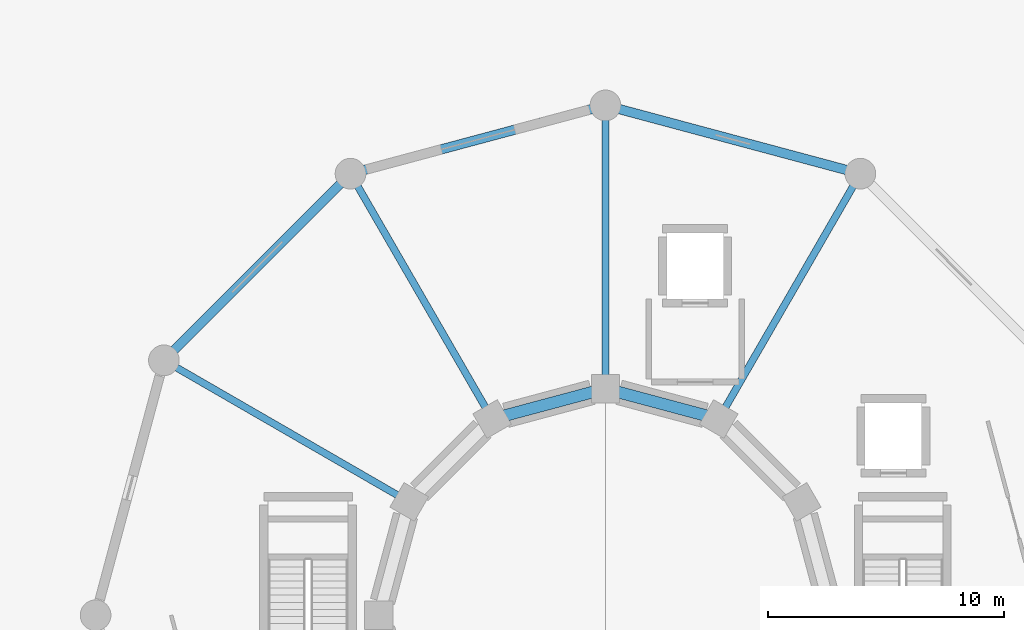
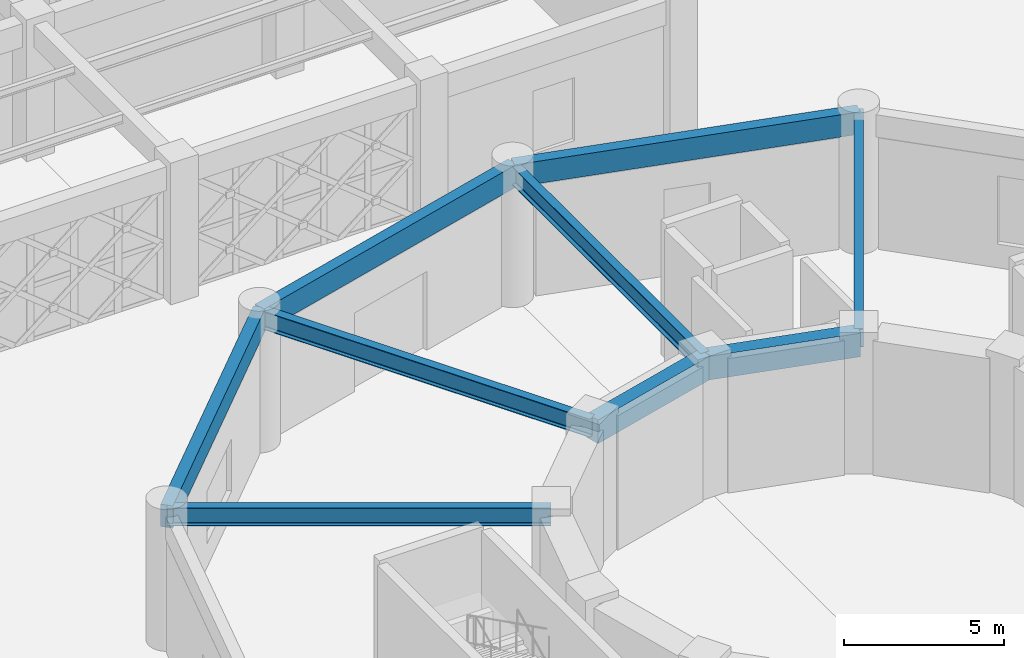
# One storey, part 53 of 140: 9 beams.
"""IFC4 building model written with IfcOpenShell, lengths in metres."""

import ifcopenshell
import ifcopenshell.guid

model = None  # the IFC model being written
_history = None  # IfcOwnerHistory: only IFC2X3 demands one
_inside = {}  # id of a spatial element -> (the spatial element, [elements in it])
_under = {}  # id of a project, library or spatial element -> (it, [spatial elements below it])
_declared = {}  # id of a project -> (the project, [libraries it declares])
_typed = {}  # id of a type object -> (the type object, [elements of that type])
_made_of = {}  # id of a material, layer set ... -> (it, [elements and type objects made of it])


def new_model(schema):
    """Start an empty IFC model of exactly this schema.

    Asked for "IFC4X3", IfcOpenShell would pick the latest addendum, in which some entities
    have other attributes; the version numbers below select the first issue.
    IFC2X3 requires an IfcOwnerHistory on every rooted entity: one is made here for all.
    """
    global model, _history
    if schema == "IFC4X3":
        model = ifcopenshell.file(schema_version=(4, 3, 0, 0))
    else:
        model = ifcopenshell.file(schema=schema)
    _inside.clear()
    _under.clear()
    _declared.clear()
    _typed.clear()
    _made_of.clear()
    _history = None
    if model.schema == "IFC2X3":
        org = make("IfcOrganization", Name="unknown")
        user = make(
            "IfcPersonAndOrganization",
            ThePerson=make("IfcPerson", FamilyName="unknown"),
            TheOrganization=org,
        )
        app = make(
            "IfcApplication",
            ApplicationDeveloper=org,
            Version="unknown",
            ApplicationFullName="unknown",
            ApplicationIdentifier="unknown",
        )
        _history = make(
            "IfcOwnerHistory",
            OwningUser=user,
            OwningApplication=app,
            ChangeAction="ADDED",
            CreationDate=0,
        )
    return model


def make(cls, **values):
    """One entity of the class cls with the attributes given. An attribute that is None is left unset."""
    return model.create_entity(
        cls, **{name: value for name, value in values.items() if value is not None}
    )


def rooted(cls, **values):
    """An entity with a GlobalId (a new one), such as an element, a storey or a relation."""
    return make(cls, GlobalId=ifcopenshell.guid.new(), OwnerHistory=_history, **values)


def si_unit(unit_type, name, prefix=None):
    """IfcSIUnit, for example si_unit("LENGTHUNIT", "METRE", prefix="MILLI")."""
    return make("IfcSIUnit", UnitType=unit_type, Prefix=prefix, Name=name)


def assignment(units):
    """IfcUnitAssignment: the units of a project."""
    return None if units is None else make("IfcUnitAssignment", Units=units)


def point(xyz):
    """IfcCartesianPoint."""
    return None if xyz is None else make("IfcCartesianPoint", Coordinates=xyz)


def direction(xyz):
    """IfcDirection."""
    return None if xyz is None else make("IfcDirection", DirectionRatios=xyz)


def frame(location, z_axis=None, x_axis=None):
    """IfcAxis2Placement3D, a coordinate frame: its origin and axes. An axis left out is left unset."""
    return make(
        "IfcAxis2Placement3D",
        Location=point(location),
        Axis=direction(z_axis),
        RefDirection=direction(x_axis),
    )


def frame_2d(location, x_axis=None):
    """IfcAxis2Placement2D, a coordinate frame in the plane: its origin and x axis."""
    return make(
        "IfcAxis2Placement2D", Location=point(location), RefDirection=direction(x_axis)
    )


def origin():
    """The frame at (0, 0, 0) with its axes left unset."""
    return frame((0.0, 0.0, 0.0))


def origin_2d():
    """The frame at (0, 0) in the plane with its x axis left unset."""
    return frame_2d((0.0, 0.0))


def place(relative_to, where):
    """IfcLocalPlacement: puts the frame where relative to a parent placement (None: the world)."""
    return make(
        "IfcLocalPlacement", PlacementRelTo=relative_to, RelativePlacement=where
    )


def context(
    kind, dimensions, precision=None, world=None, true_north=None, identifier=None
):
    """IfcGeometricRepresentationContext, for example the 3D "Model" context."""
    return make(
        "IfcGeometricRepresentationContext",
        ContextIdentifier=identifier,
        ContextType=kind,
        CoordinateSpaceDimension=dimensions,
        Precision=precision,
        WorldCoordinateSystem=world,
        TrueNorth=true_north,
    )


def subcontext(parent, identifier, kind, view, scale=None):
    """IfcGeometricRepresentationSubContext, for example "Body" below "Model"."""
    return make(
        "IfcGeometricRepresentationSubContext",
        ContextIdentifier=identifier,
        ContextType=kind,
        ParentContext=parent,
        TargetScale=scale,
        TargetView=view,
    )


def project(units=None, contexts=None):
    """IfcProject with its units and contexts."""
    return rooted(
        "IfcProject",
        Name="project",
        RepresentationContexts=contexts,
        UnitsInContext=assignment(units),
    )


def spatial(cls, under=None, at=None, **own):
    """A site, building, storey or space (cls), placed at a placement, below another one or the project."""
    s = rooted(cls, ObjectPlacement=at, **own)
    if under is not None:
        _under.setdefault(under.id(), (under, []))[1].append(s)
    return s


def profile(cls, at=None, kind="AREA", **sizes):
    """A parametric profile (cls). Its sizes go by their IFC names, for example OverallWidth=200.0."""
    return make(cls, ProfileType=kind, Position=at, **sizes)


def rectangle(**sizes):
    """IfcRectangleProfileDef."""
    return profile("IfcRectangleProfileDef", **sizes)


def i_section(**sizes):
    """IfcIShapeProfileDef."""
    return profile("IfcIShapeProfileDef", **sizes)


def extrude(swept, where, along, depth):
    """IfcExtrudedAreaSolid: the profile swept, set in the frame where, extruded along a direction by depth."""
    return make(
        "IfcExtrudedAreaSolid",
        SweptArea=swept,
        Position=where,
        ExtrudedDirection=direction(along),
        Depth=depth,
    )


def shape(context_of_items, identifier, shape_type, items):
    """IfcShapeRepresentation: the items that make up one representation, for example the "Body"."""
    return make(
        "IfcShapeRepresentation",
        ContextOfItems=context_of_items,
        RepresentationIdentifier=identifier,
        RepresentationType=shape_type,
        Items=items,
    )


def material(Name=None, Category=None):
    """IfcMaterial."""
    return make("IfcMaterial", Name=Name, Category=Category)


def material_profile(
    of_material, cross_section, Name=None, Category=None, Priority=None
):
    """IfcMaterialProfile: a cross section and its material."""
    return make(
        "IfcMaterialProfile",
        Name=Name,
        Material=of_material,
        Profile=cross_section,
        Priority=Priority,
        Category=Category,
    )


def profile_set(profiles, Name=None, composite=None):
    """IfcMaterialProfileSet."""
    return make(
        "IfcMaterialProfileSet",
        Name=Name,
        MaterialProfiles=profiles,
        CompositeProfile=composite,
    )


def made_of(thing, what):
    """Note that an element or type object is made of a material, layer set ...; save() writes the relation."""
    if what is not None:
        _made_of.setdefault(what.id(), (what, []))[1].append(thing)
    return thing


def type_object(cls, material=None, **own):
    """A type object (cls), such as IfcWallType, which elements share."""
    return made_of(rooted(cls, **own), material)


def element(
    cls,
    number,
    at=None,
    inside=None,
    cuts=None,
    type_object=None,
    material=None,
    context=None,
    identifier="Body",
    shape_type=None,
    held_by="IfcProductDefinitionShape",
    body=None,
    shapes=None,
    **own,
):
    """One element of the class cls, such as IfcWall. Its Tag is "e" and its number.

    at: its placement. inside: the storey or other place that contains it. cuts: it is an
    opening in that element (IfcRelVoidsElement). A single representation is given by context,
    identifier, shape_type and body (its items); several are given by shapes. held_by: the class
    of the entity that holds the representations. save() writes the other relations.
    """
    e = rooted(cls, Tag="e%d" % number, ObjectPlacement=at, **own)
    if body is not None:
        shapes = [shape(context, identifier, shape_type, body)]
    if shapes is not None:
        e.Representation = make(held_by, Representations=shapes)
    if inside is not None:
        _inside.setdefault(inside.id(), (inside, []))[1].append(e)
    if cuts is not None:
        rooted(
            "IfcRelVoidsElement", RelatingBuildingElement=cuts, RelatedOpeningElement=e
        )
    if type_object is not None:
        _typed.setdefault(type_object.id(), (type_object, []))[1].append(e)
    return made_of(e, material)


def aggregate(whole, parts):
    """IfcRelAggregates: a whole, such as a stair, and the parts it consists of."""
    return rooted("IfcRelAggregates", RelatingObject=whole, RelatedObjects=parts)


def save(model, path):
    """Write the relations noted so far, then the file.

    IfcRelAggregates (storeys below a building ...), IfcRelContainedInSpatialStructure (elements
    in a storey), IfcRelDefinesByType, IfcRelAssociatesMaterial and IfcRelDeclares: one each for
    every whole, place, type object, material and project.
    """
    for whole, parts in _under.values():
        aggregate(whole, parts)
    for where, things in _inside.values():
        rooted(
            "IfcRelContainedInSpatialStructure",
            RelatedElements=things,
            RelatingStructure=where,
        )
    for kind, things in _typed.values():
        rooted("IfcRelDefinesByType", RelatedObjects=things, RelatingType=kind)
    for what, things in _made_of.values():
        rooted("IfcRelAssociatesMaterial", RelatedObjects=things, RelatingMaterial=what)
    for by, libraries in _declared.values():
        rooted("IfcRelDeclares", RelatingContext=by, RelatedDefinitions=libraries)
    model.write(path)


model = new_model("IFC4")

# Units and contexts
model_context = context("Model", 3, precision=1e-05, world=origin(), true_north=direction((0.0, 1.0)))
body_context = subcontext(model_context, "Body", "Model", "MODEL_VIEW")
ifc_project = project(units=[si_unit("LENGTHUNIT", "METRE"), si_unit("AREAUNIT", "SQUARE_METRE"), si_unit("VOLUMEUNIT", "CUBIC_METRE"), si_unit("PLANEANGLEUNIT", "RADIAN"), si_unit("MASSUNIT", "GRAM", prefix="KILO")], contexts=[model_context])

# Site, building, storey
site_placement = place(None, origin())
site = spatial("IfcSite", under=ifc_project, at=site_placement, CompositionType="ELEMENT")
building_placement = place(site_placement, origin())
building = spatial("IfcBuilding", under=site, at=building_placement, Name="Haizhuo Lancet Aquarium", CompositionType="ELEMENT")
storey_placement = place(building_placement, origin())
storey = spatial("IfcBuildingStorey", under=building, at=storey_placement, Name="L00", CompositionType="ELEMENT", Elevation=0.0)

# Beams
ifc_material_1 = material(Name="Concrete C40/50", Category="concrete")
ifc_material_profile_1 = material_profile(ifc_material_1, rectangle(XDim=0.5, YDim=0.89990234375, at=origin_2d()), Name="RC-BM 500x900")
ifc_profile_set_1 = profile_set([ifc_material_profile_1], Name="Concrete C40/50")
beam_type_1 = type_object("IfcBeamType", Name="BM-RC-500x900", PredefinedType="BEAM", material=ifc_profile_set_1)
for number, where, z_axis, x_axis, name in (
    (1, (4.800048828125, 8.31396484375, 4.669921875), (-0.965927657214, 0.258812211902, 0.0), (-0.258812211902, -0.965927657214, 0.0), "L00 tank ring beam 3"),
    (2, (0.0, 9.60009765625, 4.669921875), (-0.965927657214, -0.258812211902, 0.0), (0.258812211902, -0.965927657214, 0.0), "L00 tank ring beam 4"),
):
    element("IfcBeam", number, at=place(storey_placement, frame(where, z_axis=z_axis, x_axis=x_axis)), inside=storey, type_object=beam_type_1, Name=name, PredefinedType="BEAM", context=body_context, shape_type="SweptSolid", body=[
        extrude(rectangle(XDim=0.5, YDim=0.89990234375, at=origin_2d()), origin(), (0.0, 0.0, 1.0), 4.969482421875),
    ])
ifc_material_2 = material(Name="Steel S355", Category="steel")
ifc_material_profile_2 = material_profile(ifc_material_2, i_section(OverallWidth=0.300048828125, OverallDepth=0.699951171875, WebThickness=0.012939453125, FlangeThickness=0.02392578125, FilletRadius=0.02587890625, at=origin_2d()), Name="HN 700x300x13x24")
ifc_profile_set_2 = profile_set([ifc_material_profile_2], Name="Steel S355")
beam_type_2 = type_object("IfcBeamType", Name="BM-ST-HN700", PredefinedType="BEAM", material=ifc_profile_set_2)
beam_1_placement = place(storey_placement, frame((4.800048828125, 8.31396484375, 4.77001953125), z_axis=(0.500007758305, 0.866020924479, 0.0), x_axis=(-0.866020924479, 0.500007758305, 0.0)))
element("IfcBeam", 3, at=beam_1_placement, inside=storey, type_object=beam_type_2, Name="L00 radial gallery girder 3", PredefinedType="BEAM", context=body_context, shape_type="SweptSolid", body=[
    extrude(i_section(OverallWidth=0.300048828125, OverallDepth=0.699951171875, WebThickness=0.012939453125, FlangeThickness=0.02392578125, FilletRadius=0.02587890625, at=origin_2d()), origin(), (0.0, 0.0, 1.0), 11.999755859375),
])
beam_2_placement = place(storey_placement, frame((0.0, 9.60009765625, 4.77001953125), z_axis=(0.0, 1.0, 0.0), x_axis=(-1.0, 0.0, 0.0)))
element("IfcBeam", 4, at=beam_2_placement, inside=storey, type_object=beam_type_2, Name="L00 radial gallery girder 4", PredefinedType="BEAM", context=body_context, shape_type="SweptSolid", body=[
    extrude(i_section(OverallWidth=0.300048828125, OverallDepth=0.699951171875, WebThickness=0.012939453125, FlangeThickness=0.02392578125, FilletRadius=0.02587890625, at=origin_2d()), origin(), (0.0, 0.0, 1.0), 12.0),
])
for number, where, z_axis, x_axis, name in (
    (5, (-4.800048828125, 8.31396484375, 4.77001953125), (-0.500007758305, 0.866020924479, 0.0), (-0.866020924479, -0.500007758305, 0.0), "L00 radial gallery girder 5"),
    (6, (-8.31396484375, 4.800048828125, 4.77001953125), (-0.866020924479, 0.500007758305, 0.0), (-0.500007758305, -0.866020924479, 0.0), "L00 radial gallery girder 6"),
):
    element("IfcBeam", number, at=place(storey_placement, frame(where, z_axis=z_axis, x_axis=x_axis)), inside=storey, type_object=beam_type_2, Name=name, PredefinedType="BEAM", context=body_context, shape_type="SweptSolid", body=[
        extrude(i_section(OverallWidth=0.300048828125, OverallDepth=0.699951171875, WebThickness=0.012939453125, FlangeThickness=0.02392578125, FilletRadius=0.02587890625, at=origin_2d()), origin(), (0.0, 0.0, 1.0), 11.999755859375),
    ])
ifc_material_profile_3 = material_profile(ifc_material_1, rectangle(XDim=0.39990234375, YDim=0.85009765625, at=origin_2d()), Name="RC-SP 400x850")
ifc_profile_set_3 = profile_set([ifc_material_profile_3], Name="Concrete C40/50")
beam_type_3 = type_object("IfcBeamType", Name="SPN-RC-400x850", PredefinedType="SPANDREL", material=ifc_profile_set_3)
for number, where, z_axis, x_axis, name in (
    (7, (10.800048828125, 18.7060546875, 4.695068359375), (-0.965921832664, 0.258833949056, 0.0), (-0.258833949056, -0.965921832664, 0.0), "L00 drum perimeter spandrel 3"),
    (8, (0.0, 21.60009765625, 4.695068359375), (-0.965921832664, -0.258833949056, 0.0), (0.258833949056, -0.965921832664, 0.0), "L00 drum perimeter spandrel 4"),
):
    element("IfcBeam", number, at=place(storey_placement, frame(where, z_axis=z_axis, x_axis=x_axis)), inside=storey, type_object=beam_type_3, Name=name, PredefinedType="SPANDREL", context=body_context, shape_type="SweptSolid", body=[
        extrude(rectangle(XDim=0.39990234375, YDim=0.85009765625, at=origin_2d()), origin(), (0.0, 0.0, 1.0), 11.18115234375),
    ])
beam_3_placement = place(storey_placement, frame((-10.800048828125, 18.7060546875, 4.695068359375), z_axis=(-0.707106781187, -0.707106781187, 0.0), x_axis=(0.707106781187, -0.707106781187, 0.0)))
element("IfcBeam", 9, at=beam_3_placement, inside=storey, type_object=beam_type_3, Name="L00 drum perimeter spandrel 5", PredefinedType="SPANDREL", context=body_context, shape_type="SweptSolid", body=[
    extrude(rectangle(XDim=0.39990234375, YDim=0.85009765625, at=origin_2d()), origin(), (0.0, 0.0, 1.0), 11.1806640625),
])

save(model, "model.ifc")
